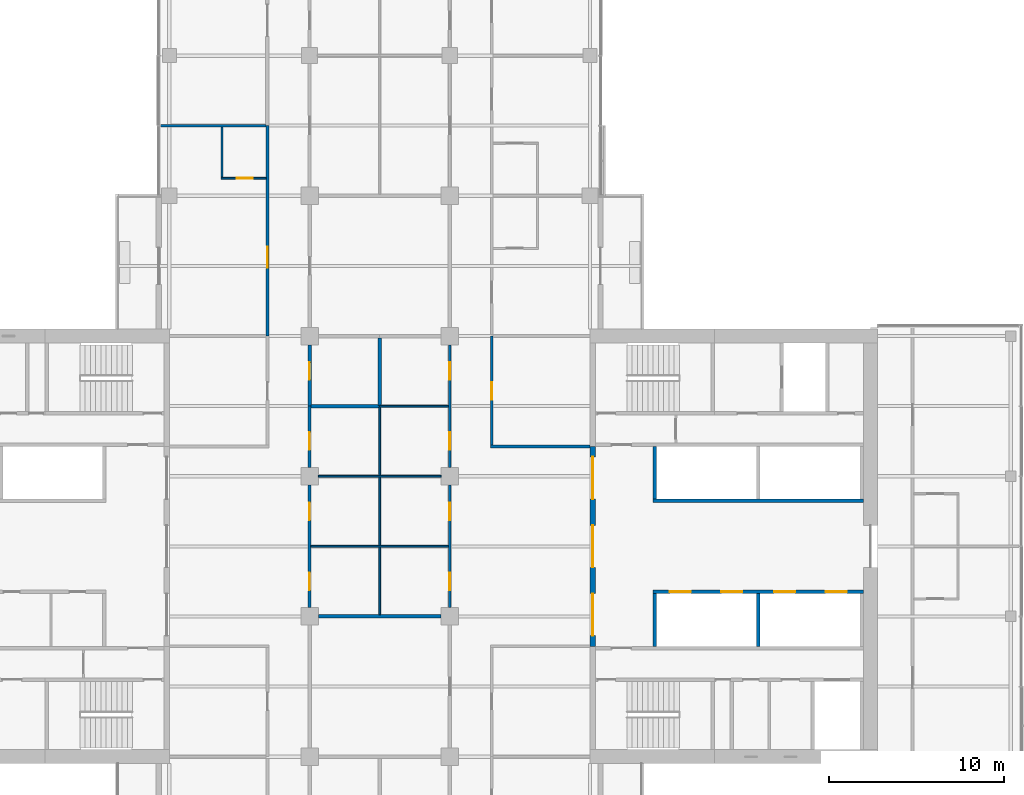
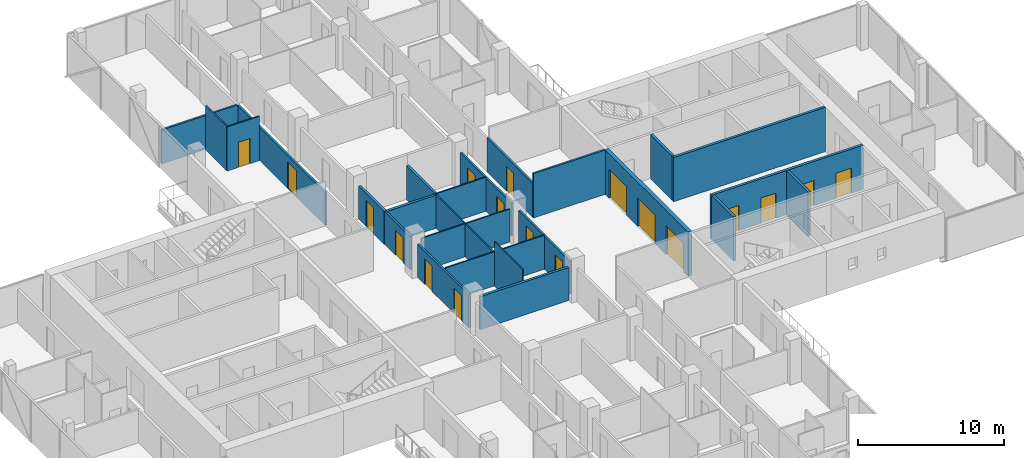
# One storey, part 19 of 27: 26 walls, 18 doors, 18 openings.
"""IFC4 building model written with IfcOpenShell, lengths in metres."""

from ifc_helpers import new_model, si_unit, direction, frame, frame_2d, origin, place, context, subcontext, project, spatial, rectangle, extrude, material, layer, layer_set, type_object, element, fill, save


model = new_model("IFC4")

# Units and contexts
model_context = context("Model", 3, precision=1e-05, world=origin(), true_north=direction((0.0, 1.0)))
body_context = subcontext(model_context, "Body", "Model", "MODEL_VIEW")
ifc_project = project(units=[si_unit("LENGTHUNIT", "METRE"), si_unit("AREAUNIT", "SQUARE_METRE"), si_unit("VOLUMEUNIT", "CUBIC_METRE"), si_unit("PLANEANGLEUNIT", "RADIAN"), si_unit("MASSUNIT", "GRAM", prefix="KILO")], contexts=[model_context])

# Site, building, storey
site_placement = place(None, origin())
site = spatial("IfcSite", under=ifc_project, at=site_placement, CompositionType="ELEMENT")
building_placement = place(site_placement, origin())
building = spatial("IfcBuilding", under=site, at=building_placement, Name="Crosswind Convention Tower", CompositionType="ELEMENT")
storey_placement = place(building_placement, frame((0.0, 0.0, 101.60009765625)))
storey = spatial("IfcBuildingStorey", under=building, at=storey_placement, Name="L20", CompositionType="ELEMENT", Elevation=101.60009765625)

# Wall
ifc_material_1 = material(Name="Concrete blockwork", Category="masonry")
ifc_layer_1 = layer(ifc_material_1, 0.199951171875)
ifc_layer_set_1 = layer_set([ifc_layer_1], Name="COMPARTMENT WALL 200")
wall_type_1 = type_object("IfcWallType", Name="COMPARTMENT WALL 200", PredefinedType="SOLIDWALL", material=ifc_layer_set_1)
wall_1_placement = place(storey_placement, frame((121.074951171875, 108.0, 0.0), z_axis=(0.0, 0.0, 1.0), x_axis=(1.0, 0.0, 0.0)))
element("IfcWall", 1, at=wall_1_placement, inside=storey, type_object=wall_type_1, Name="Compartment Wall 33", PredefinedType="SOLIDWALL", context=body_context, shape_type="SweptSolid", body=[
    extrude(rectangle(XDim=3.925048828125, YDim=0.199951171875, at=frame_2d((1.96240234375, 0.0))), origin(), (0.0, 0.0, 1.0), 2.760498046875),
])

# Wall, opening, door
wall_2_placement = place(storey_placement, frame((121.0, 108.0, 0.0), z_axis=(0.0, 0.0, 1.0), x_axis=(0.0, 1.0, 0.0)))
wall_2 = element("IfcWall", 2, at=wall_2_placement, inside=storey, type_object=wall_type_1, Name="Compartment Wall 69", PredefinedType="SOLIDWALL", context=body_context, shape_type="SweptSolid", body=[
    extrude(rectangle(XDim=3.5, YDim=0.199951171875, at=frame_2d((1.75, 0.0))), origin(), (0.0, 0.0, 1.0), 2.760498046875),
])
opening_1_placement = place(wall_2_placement, frame((1.5, 0.0, 0.0)))
opening_1 = element("IfcOpeningElement", 3, at=opening_1_placement, cuts=wall_2, Name="Opening 20.050", PredefinedType="OPENING", context=body_context, shape_type="SweptSolid", body=[
    extrude(rectangle(XDim=1.0, YDim=2.199951171875, at=frame_2d((0.5, 1.10009765625))), frame((0.0, 0.10986328125, 0.0), z_axis=(0.0, -1.0, 0.0), x_axis=(1.0, 0.0, 0.0)), (0.0, 0.0, 1.0), 0.219970703125),
])
ifc_material_2 = material(Name="Steel fire door", Category="steel")
door_type_1 = type_object("IfcDoorType", Name="PLANT ROOM DOOR 1000X2200", OperationType="NOTDEFINED", PredefinedType="DOOR", material=ifc_material_2)
door_1_placement = place(opening_1_placement, frame((1.0, 0.0, 0.0), z_axis=(0.0, 0.0, 1.0), x_axis=(-1.0, 0.0, 0.0)))
door_1 = element("IfcDoor", 4, at=door_1_placement, inside=storey, type_object=door_type_1, Name="Door 20.050", ObjectType="D6", OperationType="SINGLE_SWING_LEFT", OverallHeight=2.199951171875, OverallWidth=1.0, PredefinedType="DOOR", context=body_context, shape_type="SweptSolid", body=[
    extrude(rectangle(XDim=1.0, YDim=2.199951171875, at=frame_2d((0.5, 1.10009765625))), frame((0.0, 0.02490234375, 0.0), z_axis=(0.0, -1.0, 0.0), x_axis=(1.0, 0.0, 0.0)), (0.0, 0.0, 1.0), 0.050048828125),
])
fill(opening_1, door_1)

# Walls
wall_3_placement = place(storey_placement, frame((125.0, 108.050048828125, 0.0), z_axis=(0.0, 0.0, 1.0), x_axis=(0.0, 1.0, 0.0)))
element("IfcWall", 5, at=wall_3_placement, inside=storey, type_object=wall_type_1, Name="Compartment Wall 79", PredefinedType="SOLIDWALL", context=body_context, shape_type="SweptSolid", body=[
    extrude(rectangle(XDim=3.849853515625, YDim=0.199951171875, at=frame_2d((1.9248046875, 0.0))), origin(), (0.0, 0.0, 1.0), 2.8427734375),
])
ifc_material_3 = material(Name="Plasterboard partition", Category="gypsum")
ifc_layer_2 = layer(ifc_material_3, 0.14990234375)
ifc_layer_set_2 = layer_set([ifc_layer_2], Name="CORRIDOR WALL 150")
wall_type_2 = type_object("IfcWallType", Name="CORRIDOR WALL 150", PredefinedType="PARTITIONING", material=ifc_layer_set_2)
wall_4_placement = place(storey_placement, frame((131.324951171875, 105.699951171875, 0.0), z_axis=(0.0, 0.0, 1.0), x_axis=(1.0, 0.0, 0.0)))
element("IfcWall", 6, at=wall_4_placement, inside=storey, type_object=wall_type_2, Name="Corridor Wall 32", PredefinedType="PARTITIONING", context=body_context, shape_type="SweptSolid", body=[
    extrude(rectangle(XDim=5.675048828125, YDim=0.14990234375, at=frame_2d((2.83740234375, 0.0))), origin(), (0.0, 0.0, 1.0), 3.699951171875),
])

# Wall, openings, doors
wall_5_placement = place(storey_placement, frame((121.0, 96.5, 0.0), z_axis=(0.0, 0.0, 1.0), x_axis=(0.0, 1.0, 0.0)))
wall_5 = element("IfcWall", 7, at=wall_5_placement, inside=storey, type_object=wall_type_2, Name="Corridor Wall 67", PredefinedType="PARTITIONING", context=body_context, shape_type="SweptSolid", body=[
    extrude(rectangle(XDim=7.0, YDim=0.14990234375, at=frame_2d((3.5, 0.0))), origin(), (0.0, 0.0, 1.0), 2.760498046875),
])
opening_2_placement = place(wall_5_placement, frame((1.0, 0.0, 0.0)))
opening_2 = element("IfcOpeningElement", 8, at=opening_2_placement, cuts=wall_5, Name="Opening 20.045", PredefinedType="OPENING", context=body_context, shape_type="SweptSolid", body=[
    extrude(rectangle(XDim=1.0, YDim=2.10009765625, at=frame_2d((0.5, 1.050048828125))), frame((0.0, 0.0849609375, 0.0), z_axis=(0.0, -1.0, 0.0), x_axis=(1.0, 0.0, 0.0)), (0.0, 0.0, 1.0), 0.169921875),
])
opening_3_placement = place(wall_5_placement, frame((5.0, 0.0, 0.0)))
opening_3 = element("IfcOpeningElement", 9, at=opening_3_placement, cuts=wall_5, Name="Opening 20.046", PredefinedType="OPENING", context=body_context, shape_type="SweptSolid", body=[
    extrude(rectangle(XDim=1.0, YDim=2.10009765625, at=frame_2d((0.5, 1.050048828125))), frame((0.0, 0.0849609375, 0.0), z_axis=(0.0, -1.0, 0.0), x_axis=(1.0, 0.0, 0.0)), (0.0, 0.0, 1.0), 0.169921875),
])
ifc_material_4 = material(Name="Timber fire door", Category="wood")
door_type_2 = type_object("IfcDoorType", Name="SERVICE ROOM DOOR 1000X2100", OperationType="NOTDEFINED", PredefinedType="DOOR", material=ifc_material_4)
door_2_placement = place(opening_2_placement, frame((1.0, 0.0, 0.0), z_axis=(0.0, 0.0, 1.0), x_axis=(-1.0, 0.0, 0.0)))
door_2 = element("IfcDoor", 10, at=door_2_placement, inside=storey, type_object=door_type_2, Name="Door 20.045", ObjectType="D3", OperationType="SINGLE_SWING_RIGHT", OverallHeight=2.10009765625, OverallWidth=1.0, PredefinedType="DOOR", context=body_context, shape_type="SweptSolid", body=[
    extrude(rectangle(XDim=1.0, YDim=2.10009765625, at=frame_2d((0.5, 1.050048828125))), frame((0.0, 0.02490234375, 0.0), z_axis=(0.0, -1.0, 0.0), x_axis=(1.0, 0.0, 0.0)), (0.0, 0.0, 1.0), 0.050048828125),
])
fill(opening_2, door_2)
door_3_placement = place(opening_3_placement, frame((1.0, 0.0, 0.0), z_axis=(0.0, 0.0, 1.0), x_axis=(-1.0, 0.0, 0.0)))
door_3 = element("IfcDoor", 11, at=door_3_placement, inside=storey, type_object=door_type_2, Name="Door 20.046", ObjectType="D3", OperationType="SINGLE_SWING_LEFT", OverallHeight=2.10009765625, OverallWidth=1.0, PredefinedType="DOOR", context=body_context, shape_type="SweptSolid", body=[
    extrude(rectangle(XDim=1.0, YDim=2.10009765625, at=frame_2d((0.5, 1.050048828125))), frame((0.0, 0.02490234375, 0.0), z_axis=(0.0, -1.0, 0.0), x_axis=(1.0, 0.0, 0.0)), (0.0, 0.0, 1.0), 0.050048828125),
])
fill(opening_3, door_3)

# Wall, opening, door
wall_6_placement = place(storey_placement, frame((121.0, 104.5, 0.0), z_axis=(0.0, 0.0, 1.0), x_axis=(0.0, 1.0, 0.0)))
wall_6 = element("IfcWall", 12, at=wall_6_placement, inside=storey, type_object=wall_type_2, Name="Corridor Wall 68", PredefinedType="PARTITIONING", context=body_context, shape_type="SweptSolid", body=[
    extrude(rectangle(XDim=3.5, YDim=0.14990234375, at=frame_2d((1.75, 0.0))), origin(), (0.0, 0.0, 1.0), 2.760498046875),
])
opening_4_placement = place(wall_6_placement, frame((1.0, 0.0, 0.0)))
opening_4 = element("IfcOpeningElement", 13, at=opening_4_placement, cuts=wall_6, Name="Opening 20.049", PredefinedType="OPENING", context=body_context, shape_type="SweptSolid", body=[
    extrude(rectangle(XDim=1.0, YDim=2.10009765625, at=frame_2d((0.5, 1.050048828125))), frame((0.0, 0.0849609375, 0.0), z_axis=(0.0, -1.0, 0.0), x_axis=(1.0, 0.0, 0.0)), (0.0, 0.0, 1.0), 0.169921875),
])
door_4_placement = place(opening_4_placement, frame((1.0, 0.0, 0.0), z_axis=(0.0, 0.0, 1.0), x_axis=(-1.0, 0.0, 0.0)))
door_4 = element("IfcDoor", 14, at=door_4_placement, inside=storey, type_object=door_type_2, Name="Door 20.049", ObjectType="D3", OperationType="SINGLE_SWING_RIGHT", OverallHeight=2.10009765625, OverallWidth=1.0, PredefinedType="DOOR", context=body_context, shape_type="SweptSolid", body=[
    extrude(rectangle(XDim=1.0, YDim=2.10009765625, at=frame_2d((0.5, 1.050048828125))), frame((0.0, 0.02490234375, 0.0), z_axis=(0.0, -1.0, 0.0), x_axis=(1.0, 0.0, 0.0)), (0.0, 0.0, 1.0), 0.050048828125),
])
fill(opening_4, door_4)

# Wall, openings, doors
wall_7_placement = place(storey_placement, frame((129.0, 96.5, 0.0), z_axis=(0.0, 0.0, 1.0), x_axis=(0.0, 1.0, 0.0)))
wall_7 = element("IfcWall", 15, at=wall_7_placement, inside=storey, type_object=wall_type_2, Name="Corridor Wall 87", PredefinedType="PARTITIONING", context=body_context, shape_type="SweptSolid", body=[
    extrude(rectangle(XDim=7.0, YDim=0.14990234375, at=frame_2d((3.5, 0.0))), origin(), (0.0, 0.0, 1.0), 2.760498046875),
])
opening_5_placement = place(wall_7_placement, frame((1.0, 0.0, 0.0)))
opening_5 = element("IfcOpeningElement", 16, at=opening_5_placement, cuts=wall_7, Name="Opening 20.047", PredefinedType="OPENING", context=body_context, shape_type="SweptSolid", body=[
    extrude(rectangle(XDim=1.0, YDim=2.10009765625, at=frame_2d((0.5, 1.050048828125))), frame((0.0, 0.0849609375, 0.0), z_axis=(0.0, -1.0, 0.0), x_axis=(1.0, 0.0, 0.0)), (0.0, 0.0, 1.0), 0.169921875),
])
opening_6_placement = place(wall_7_placement, frame((5.0, 0.0, 0.0)))
opening_6 = element("IfcOpeningElement", 17, at=opening_6_placement, cuts=wall_7, Name="Opening 20.048", PredefinedType="OPENING", context=body_context, shape_type="SweptSolid", body=[
    extrude(rectangle(XDim=1.0, YDim=2.10009765625, at=frame_2d((0.5, 1.050048828125))), frame((0.0, 0.0849609375, 0.0), z_axis=(0.0, -1.0, 0.0), x_axis=(1.0, 0.0, 0.0)), (0.0, 0.0, 1.0), 0.169921875),
])
door_5_placement = place(opening_5_placement, origin())
door_5 = element("IfcDoor", 18, at=door_5_placement, inside=storey, type_object=door_type_2, Name="Door 20.047", ObjectType="D3", OperationType="SINGLE_SWING_LEFT", OverallHeight=2.10009765625, OverallWidth=1.0, PredefinedType="DOOR", context=body_context, shape_type="SweptSolid", body=[
    extrude(rectangle(XDim=1.0, YDim=2.10009765625, at=frame_2d((0.5, 1.050048828125))), frame((0.0, 0.02490234375, 0.0), z_axis=(0.0, -1.0, 0.0), x_axis=(1.0, 0.0, 0.0)), (0.0, 0.0, 1.0), 0.050048828125),
])
fill(opening_5, door_5)
door_6_placement = place(opening_6_placement, origin())
door_6 = element("IfcDoor", 19, at=door_6_placement, inside=storey, type_object=door_type_2, Name="Door 20.048", ObjectType="D3", OperationType="SINGLE_SWING_RIGHT", OverallHeight=2.10009765625, OverallWidth=1.0, PredefinedType="DOOR", context=body_context, shape_type="SweptSolid", body=[
    extrude(rectangle(XDim=1.0, YDim=2.10009765625, at=frame_2d((0.5, 1.050048828125))), frame((0.0, 0.02490234375, 0.0), z_axis=(0.0, -1.0, 0.0), x_axis=(1.0, 0.0, 0.0)), (0.0, 0.0, 1.0), 0.050048828125),
])
fill(opening_6, door_6)

wall_8_placement = place(storey_placement, frame((129.0, 104.5, 0.0), z_axis=(0.0, 0.0, 1.0), x_axis=(0.0, 1.0, 0.0)))
wall_8 = element("IfcWall", 20, at=wall_8_placement, inside=storey, type_object=wall_type_2, Name="Corridor Wall 88", PredefinedType="PARTITIONING", context=body_context, shape_type="SweptSolid", body=[
    extrude(rectangle(XDim=7.0, YDim=0.14990234375, at=frame_2d((3.5, 0.0))), origin(), (0.0, 0.0, 1.0), 2.760498046875),
])
opening_7_placement = place(wall_8_placement, frame((1.0, 0.0, 0.0)))
opening_7 = element("IfcOpeningElement", 21, at=opening_7_placement, cuts=wall_8, Name="Opening 20.051", PredefinedType="OPENING", context=body_context, shape_type="SweptSolid", body=[
    extrude(rectangle(XDim=1.0, YDim=2.10009765625, at=frame_2d((0.5, 1.050048828125))), frame((0.0, 0.0849609375, 0.0), z_axis=(0.0, -1.0, 0.0), x_axis=(1.0, 0.0, 0.0)), (0.0, 0.0, 1.0), 0.169921875),
])
opening_8_placement = place(wall_8_placement, frame((5.0, 0.0, 0.0)))
opening_8 = element("IfcOpeningElement", 22, at=opening_8_placement, cuts=wall_8, Name="Opening 20.052", PredefinedType="OPENING", context=body_context, shape_type="SweptSolid", body=[
    extrude(rectangle(XDim=1.0, YDim=2.10009765625, at=frame_2d((0.5, 1.050048828125))), frame((0.0, 0.0849609375, 0.0), z_axis=(0.0, -1.0, 0.0), x_axis=(1.0, 0.0, 0.0)), (0.0, 0.0, 1.0), 0.169921875),
])
door_7_placement = place(opening_7_placement, origin())
door_7 = element("IfcDoor", 23, at=door_7_placement, inside=storey, type_object=door_type_2, Name="Door 20.051", ObjectType="D3", OperationType="SINGLE_SWING_LEFT", OverallHeight=2.10009765625, OverallWidth=1.0, PredefinedType="DOOR", context=body_context, shape_type="SweptSolid", body=[
    extrude(rectangle(XDim=1.0, YDim=2.10009765625, at=frame_2d((0.5, 1.050048828125))), frame((0.0, 0.02490234375, 0.0), z_axis=(0.0, -1.0, 0.0), x_axis=(1.0, 0.0, 0.0)), (0.0, 0.0, 1.0), 0.050048828125),
])
fill(opening_7, door_7)
door_8_placement = place(opening_8_placement, origin())
door_8 = element("IfcDoor", 24, at=door_8_placement, inside=storey, type_object=door_type_2, Name="Door 20.052", ObjectType="D3", OperationType="SINGLE_SWING_RIGHT", OverallHeight=2.10009765625, OverallWidth=1.0, PredefinedType="DOOR", context=body_context, shape_type="SweptSolid", body=[
    extrude(rectangle(XDim=1.0, YDim=2.10009765625, at=frame_2d((0.5, 1.050048828125))), frame((0.0, 0.02490234375, 0.0), z_axis=(0.0, -1.0, 0.0), x_axis=(1.0, 0.0, 0.0)), (0.0, 0.0, 1.0), 0.050048828125),
])
fill(opening_8, door_8)

# Wall, opening, door
wall_9_placement = place(storey_placement, frame((131.39990234375, 105.77490234375, 0.0), z_axis=(0.0, 0.0, 1.0), x_axis=(0.0, 1.0, 0.0)))
wall_9 = element("IfcWall", 25, at=wall_9_placement, inside=storey, type_object=wall_type_2, Name="Corridor Wall 96", PredefinedType="PARTITIONING", context=body_context, shape_type="SweptSolid", body=[
    extrude(rectangle(XDim=6.22509765625, YDim=0.14990234375, at=frame_2d((3.112548828125, 0.0))), origin(), (0.0, 0.0, 1.0), 2.8427734375),
])
opening_9_placement = place(wall_9_placement, frame((2.574951171875, 0.0, 0.0)))
opening_9 = element("IfcOpeningElement", 26, at=opening_9_placement, cuts=wall_9, Name="Opening 20.001", PredefinedType="OPENING", context=body_context, shape_type="SweptSolid", body=[
    extrude(rectangle(XDim=1.0, YDim=2.10009765625, at=frame_2d((0.5, 1.050048828125))), frame((0.0, 0.0849609375, 0.0), z_axis=(0.0, -1.0, 0.0), x_axis=(1.0, 0.0, 0.0)), (0.0, 0.0, 1.0), 0.169921875),
])
door_9_placement = place(opening_9_placement, frame((1.0, 0.0, 0.0), z_axis=(0.0, 0.0, 1.0), x_axis=(-1.0, 0.0, 0.0)))
door_9 = element("IfcDoor", 27, at=door_9_placement, inside=storey, type_object=door_type_2, Name="Door 20.001", ObjectType="D3", OperationType="SINGLE_SWING_LEFT", OverallHeight=2.10009765625, OverallWidth=1.0, PredefinedType="DOOR", context=body_context, shape_type="SweptSolid", body=[
    extrude(rectangle(XDim=1.0, YDim=2.10009765625, at=frame_2d((0.5, 1.050048828125))), frame((0.0, 0.02490234375, 0.0), z_axis=(0.0, -1.0, 0.0), x_axis=(1.0, 0.0, 0.0)), (0.0, 0.0, 1.0), 0.050048828125),
])
fill(opening_9, door_9)

# Wall, openings, doors
ifc_material_5 = material(Name="Concrete C50/60", Category="concrete")
ifc_layer_3 = layer(ifc_material_5, 0.300048828125)
ifc_layer_set_3 = layer_set([ifc_layer_3], Name="Concrete C50/60")
wall_type_3 = type_object("IfcWallType", Name="Concrete inner core wall 300", PredefinedType="SHEAR", material=ifc_layer_set_3)
wall_10_placement = place(storey_placement, frame((137.14990234375, 94.300048828125, 0.0), z_axis=(0.0, 0.0, 1.0), x_axis=(0.0, 1.0, 0.0)))
wall_10 = element("IfcWall", 28, at=wall_10_placement, inside=storey, type_object=wall_type_3, Name="Wall SCR E L20", PredefinedType="SHEAR", context=body_context, shape_type="SweptSolid", body=[
    extrude(rectangle(XDim=11.39990234375, YDim=0.300048828125, at=frame_2d((5.699951171875, 0.0))), origin(), (0.0, 0.0, 1.0), 3.699951171875),
])
opening_10_placement = place(wall_10_placement, frame((0.60009765625, 0.0, 0.0)))
opening_10 = element("IfcOpeningElement", 29, at=opening_10_placement, cuts=wall_10, Name="Opening D100", PredefinedType="OPENING", context=body_context, shape_type="SweptSolid", body=[
    extrude(rectangle(XDim=2.39990234375, YDim=2.39990234375, at=frame_2d((1.199951171875, 1.199951171875))), frame((0.0, 0.159912109375, 0.0), z_axis=(0.0, -1.0, 0.0), x_axis=(1.0, 0.0, 0.0)), (0.0, 0.0, 1.0), 0.320068359375),
])
opening_11_placement = place(wall_10_placement, frame((4.5, 0.0, 0.0)))
opening_11 = element("IfcOpeningElement", 30, at=opening_11_placement, cuts=wall_10, Name="Opening D100", PredefinedType="OPENING", context=body_context, shape_type="SweptSolid", body=[
    extrude(rectangle(XDim=2.39990234375, YDim=2.39990234375, at=frame_2d((1.199951171875, 1.199951171875))), frame((0.0, 0.159912109375, 0.0), z_axis=(0.0, -1.0, 0.0), x_axis=(1.0, 0.0, 0.0)), (0.0, 0.0, 1.0), 0.320068359375),
])
opening_12_placement = place(wall_10_placement, frame((8.39990234375, 0.0, 0.0)))
opening_12 = element("IfcOpeningElement", 31, at=opening_12_placement, cuts=wall_10, Name="Opening D100", PredefinedType="OPENING", context=body_context, shape_type="SweptSolid", body=[
    extrude(rectangle(XDim=2.39990234375, YDim=2.39990234375, at=frame_2d((1.199951171875, 1.199951171875))), frame((0.0, 0.159912109375, 0.0), z_axis=(0.0, -1.0, 0.0), x_axis=(1.0, 0.0, 0.0)), (0.0, 0.0, 1.0), 0.320068359375),
])
ifc_material_6 = material(Name="Steel fire door with glazed vision panels", Category="steel")
door_type_3 = type_object("IfcDoorType", Name="Fire-rated double door 2400x2400", OperationType="DOUBLE_DOOR_SINGLE_SWING", PredefinedType="DOOR", material=ifc_material_6)
door_10_placement = place(opening_10_placement, origin())
door_10 = element("IfcDoor", 32, at=door_10_placement, inside=storey, type_object=door_type_3, Name="Lobby door 1 L20", ObjectType="D100", OperationType="DOUBLE_DOOR_SINGLE_SWING", OverallHeight=2.39990234375, OverallWidth=2.39990234375, PredefinedType="DOOR", context=body_context, shape_type="SweptSolid", body=[
    extrude(rectangle(XDim=2.39990234375, YDim=2.39990234375, at=frame_2d((1.199951171875, 1.199951171875))), frame((0.0, 0.02490234375, 0.0), z_axis=(0.0, -1.0, 0.0), x_axis=(1.0, 0.0, 0.0)), (0.0, 0.0, 1.0), 0.050048828125),
])
fill(opening_10, door_10)
door_11_placement = place(opening_11_placement, origin())
door_11 = element("IfcDoor", 33, at=door_11_placement, inside=storey, type_object=door_type_3, Name="Lobby door 2 L20", ObjectType="D100", OperationType="DOUBLE_DOOR_SINGLE_SWING", OverallHeight=2.39990234375, OverallWidth=2.39990234375, PredefinedType="DOOR", context=body_context, shape_type="SweptSolid", body=[
    extrude(rectangle(XDim=2.39990234375, YDim=2.39990234375, at=frame_2d((1.199951171875, 1.199951171875))), frame((0.0, 0.02490234375, 0.0), z_axis=(0.0, -1.0, 0.0), x_axis=(1.0, 0.0, 0.0)), (0.0, 0.0, 1.0), 0.050048828125),
])
fill(opening_11, door_11)
door_12_placement = place(opening_12_placement, origin())
door_12 = element("IfcDoor", 34, at=door_12_placement, inside=storey, type_object=door_type_3, Name="Lobby door 3 L20", ObjectType="D100", OperationType="DOUBLE_DOOR_SINGLE_SWING", OverallHeight=2.39990234375, OverallWidth=2.39990234375, PredefinedType="DOOR", context=body_context, shape_type="SweptSolid", body=[
    extrude(rectangle(XDim=2.39990234375, YDim=2.39990234375, at=frame_2d((1.199951171875, 1.199951171875))), frame((0.0, 0.02490234375, 0.0), z_axis=(0.0, -1.0, 0.0), x_axis=(1.0, 0.0, 0.0)), (0.0, 0.0, 1.0), 0.050048828125),
])
fill(opening_12, door_12)

# Walls
ifc_layer_4 = layer(ifc_material_5, 0.199951171875)
ifc_layer_set_4 = layer_set([ifc_layer_4], Name="Concrete C50/60")
wall_type_4 = type_object("IfcWallType", Name="Concrete shaft and stair wall 200", PredefinedType="SHEAR", material=ifc_layer_set_4)
wall_11_placement = place(storey_placement, frame((140.699951171875, 102.699951171875, 0.0), z_axis=(0.0, 0.0, 1.0), x_axis=(0.0, 1.0, 0.0)))
element("IfcWall", 35, at=wall_11_placement, inside=storey, type_object=wall_type_4, Name="Wall RPEND E L20", PredefinedType="SHEAR", context=body_context, shape_type="SweptSolid", body=[
    extrude(rectangle(XDim=3.0, YDim=0.199951171875, at=frame_2d((1.5, 0.0))), origin(), (0.0, 0.0, 1.0), 3.699951171875),
])
wall_12_placement = place(storey_placement, frame((140.60009765625, 102.60009765625, 0.0), z_axis=(0.0, 0.0, 1.0), x_axis=(1.0, 0.0, 0.0)))
element("IfcWall", 36, at=wall_12_placement, inside=storey, type_object=wall_type_4, Name="Wall RPFRONT E L20", PredefinedType="SHEAR", context=body_context, shape_type="SweptSolid", body=[
    extrude(rectangle(XDim=12.0, YDim=0.199951171875, at=frame_2d((6.0, 0.0))), origin(), (0.0, 0.0, 1.0), 3.699951171875),
])
for number, where, z_axis, x_axis, name in (
    (37, (140.699951171875, 94.300048828125, 0.0), (0.0, 0.0, 1.0), (0.0, 1.0, 0.0), "Wall RMEND E L20"),
    (38, (146.60009765625, 94.300048828125, 0.0), (0.0, 0.0, 1.0), (0.0, 1.0, 0.0), "Wall RMSEP E L20"),
):
    element("IfcWall", number, at=place(storey_placement, frame(where, z_axis=z_axis, x_axis=x_axis)), inside=storey, type_object=wall_type_4, Name=name, PredefinedType="SHEAR", context=body_context, shape_type="SweptSolid", body=[
        extrude(rectangle(XDim=3.0, YDim=0.199951171875, at=frame_2d((1.5, 0.0))), origin(), (0.0, 0.0, 1.0), 3.699951171875),
    ])

# Wall, openings, doors
wall_13_placement = place(storey_placement, frame((140.60009765625, 97.39990234375, 0.0), z_axis=(0.0, 0.0, 1.0), x_axis=(1.0, 0.0, 0.0)))
wall_13 = element("IfcWall", 39, at=wall_13_placement, inside=storey, type_object=wall_type_4, Name="Wall RMFRONT E L20", PredefinedType="SHEAR", context=body_context, shape_type="SweptSolid", body=[
    extrude(rectangle(XDim=12.0, YDim=0.199951171875, at=frame_2d((6.0, 0.0))), origin(), (0.0, 0.0, 1.0), 3.699951171875),
])
opening_13_placement = place(wall_13_placement, frame((0.949951171875, 0.0, 0.0)))
opening_13 = element("IfcOpeningElement", 40, at=opening_13_placement, cuts=wall_13, Name="Opening LD1", PredefinedType="OPENING", context=body_context, shape_type="SweptSolid", body=[
    extrude(rectangle(XDim=1.199951171875, YDim=2.10009765625, at=frame_2d((0.60009765625, 1.050048828125))), frame((0.0, 0.10986328125, 0.0), z_axis=(0.0, -1.0, 0.0), x_axis=(1.0, 0.0, 0.0)), (0.0, 0.0, 1.0), 0.219970703125),
])
opening_14_placement = place(wall_13_placement, frame((3.89990234375, 0.0, 0.0)))
opening_14 = element("IfcOpeningElement", 41, at=opening_14_placement, cuts=wall_13, Name="Opening LD1", PredefinedType="OPENING", context=body_context, shape_type="SweptSolid", body=[
    extrude(rectangle(XDim=1.199951171875, YDim=2.10009765625, at=frame_2d((0.60009765625, 1.050048828125))), frame((0.0, 0.10986328125, 0.0), z_axis=(0.0, -1.0, 0.0), x_axis=(1.0, 0.0, 0.0)), (0.0, 0.0, 1.0), 0.219970703125),
])
opening_15_placement = place(wall_13_placement, frame((6.89990234375, 0.0, 0.0)))
opening_15 = element("IfcOpeningElement", 42, at=opening_15_placement, cuts=wall_13, Name="Opening LD1", PredefinedType="OPENING", context=body_context, shape_type="SweptSolid", body=[
    extrude(rectangle(XDim=1.199951171875, YDim=2.10009765625, at=frame_2d((0.60009765625, 1.050048828125))), frame((0.0, 0.10986328125, 0.0), z_axis=(0.0, -1.0, 0.0), x_axis=(1.0, 0.0, 0.0)), (0.0, 0.0, 1.0), 0.219970703125),
])
opening_16_placement = place(wall_13_placement, frame((9.85009765625, 0.0, 0.0)))
opening_16 = element("IfcOpeningElement", 43, at=opening_16_placement, cuts=wall_13, Name="Opening LD1", PredefinedType="OPENING", context=body_context, shape_type="SweptSolid", body=[
    extrude(rectangle(XDim=1.199951171875, YDim=2.10009765625, at=frame_2d((0.60009765625, 1.050048828125))), frame((0.0, 0.10986328125, 0.0), z_axis=(0.0, -1.0, 0.0), x_axis=(1.0, 0.0, 0.0)), (0.0, 0.0, 1.0), 0.219970703125),
])
ifc_material_7 = material(Name="Stainless steel", Category="steel")
door_type_4 = type_object("IfcDoorType", Name="Lift landing door 1200x2100", OperationType="DOUBLE_DOOR_SLIDING", PredefinedType="DOOR", material=ifc_material_7)
door_13_placement = place(opening_13_placement, origin())
door_13 = element("IfcDoor", 44, at=door_13_placement, inside=storey, type_object=door_type_4, Name="Landing door H1 L20", ObjectType="LD1", OperationType="DOUBLE_DOOR_SLIDING", OverallHeight=2.10009765625, OverallWidth=1.199951171875, PredefinedType="DOOR", context=body_context, shape_type="SweptSolid", body=[
    extrude(rectangle(XDim=1.199951171875, YDim=2.10009765625, at=frame_2d((0.60009765625, 1.050048828125))), frame((0.0, 0.02490234375, 0.0), z_axis=(0.0, -1.0, 0.0), x_axis=(1.0, 0.0, 0.0)), (0.0, 0.0, 1.0), 0.050048828125),
])
fill(opening_13, door_13)
door_14_placement = place(opening_14_placement, origin())
door_14 = element("IfcDoor", 45, at=door_14_placement, inside=storey, type_object=door_type_4, Name="Landing door H2 L20", ObjectType="LD1", OperationType="DOUBLE_DOOR_SLIDING", OverallHeight=2.10009765625, OverallWidth=1.199951171875, PredefinedType="DOOR", context=body_context, shape_type="SweptSolid", body=[
    extrude(rectangle(XDim=1.199951171875, YDim=2.10009765625, at=frame_2d((0.60009765625, 1.050048828125))), frame((0.0, 0.02490234375, 0.0), z_axis=(0.0, -1.0, 0.0), x_axis=(1.0, 0.0, 0.0)), (0.0, 0.0, 1.0), 0.050048828125),
])
fill(opening_14, door_14)
door_15_placement = place(opening_15_placement, origin())
door_15 = element("IfcDoor", 46, at=door_15_placement, inside=storey, type_object=door_type_4, Name="Landing door H3 L20", ObjectType="LD1", OperationType="DOUBLE_DOOR_SLIDING", OverallHeight=2.10009765625, OverallWidth=1.199951171875, PredefinedType="DOOR", context=body_context, shape_type="SweptSolid", body=[
    extrude(rectangle(XDim=1.199951171875, YDim=2.10009765625, at=frame_2d((0.60009765625, 1.050048828125))), frame((0.0, 0.02490234375, 0.0), z_axis=(0.0, -1.0, 0.0), x_axis=(1.0, 0.0, 0.0)), (0.0, 0.0, 1.0), 0.050048828125),
])
fill(opening_15, door_15)
door_16_placement = place(opening_16_placement, origin())
door_16 = element("IfcDoor", 47, at=door_16_placement, inside=storey, type_object=door_type_4, Name="Landing door H4 L20", ObjectType="LD1", OperationType="DOUBLE_DOOR_SLIDING", OverallHeight=2.10009765625, OverallWidth=1.199951171875, PredefinedType="DOOR", context=body_context, shape_type="SweptSolid", body=[
    extrude(rectangle(XDim=1.199951171875, YDim=2.10009765625, at=frame_2d((0.60009765625, 1.050048828125))), frame((0.0, 0.02490234375, 0.0), z_axis=(0.0, -1.0, 0.0), x_axis=(1.0, 0.0, 0.0)), (0.0, 0.0, 1.0), 0.050048828125),
])
fill(opening_16, door_16)

# Wall
ifc_material_8 = material(Name="Acoustic plasterboard partition", Category="gypsum")
ifc_layer_5 = layer(ifc_material_8, 0.14990234375)
ifc_layer_set_5 = layer_set([ifc_layer_5], Name="GUEST ROOM WALL 150")
wall_type_5 = type_object("IfcWallType", Name="GUEST ROOM WALL 150", PredefinedType="PARTITIONING", material=ifc_layer_set_5)
wall_14_placement = place(storey_placement, frame((112.5, 124.0, 0.0), z_axis=(0.0, 0.0, 1.0), x_axis=(1.0, 0.0, 0.0)))
element("IfcWall", 48, at=wall_14_placement, inside=storey, type_object=wall_type_5, Name="Guest Room Wall 44", PredefinedType="PARTITIONING", context=body_context, shape_type="SweptSolid", body=[
    extrude(rectangle(XDim=6.02490234375, YDim=0.14990234375, at=frame_2d((3.012451171875, 0.0))), origin(), (0.0, 0.0, 1.0), 2.8427734375),
])

# Wall, opening, door
wall_15_placement = place(storey_placement, frame((118.60009765625, 112.0, 0.0), z_axis=(0.0, 0.0, 1.0), x_axis=(0.0, 1.0, 0.0)))
wall_15 = element("IfcWall", 49, at=wall_15_placement, inside=storey, type_object=wall_type_5, Name="Guest Room Wall 61", PredefinedType="PARTITIONING", context=body_context, shape_type="SweptSolid", body=[
    extrude(rectangle(XDim=12.0, YDim=0.14990234375, at=frame_2d((6.0, 0.0))), origin(), (0.0, 0.0, 1.0), 2.760498046875),
])
opening_17_placement = place(wall_15_placement, frame((3.89990234375, 0.0, 0.0)))
opening_17 = element("IfcOpeningElement", 50, at=opening_17_placement, cuts=wall_15, Name="Opening 20.011", PredefinedType="OPENING", context=body_context, shape_type="SweptSolid", body=[
    extrude(rectangle(XDim=1.199951171875, YDim=2.199951171875, at=frame_2d((0.60009765625, 1.10009765625))), frame((0.0, 0.0849609375, 0.0), z_axis=(0.0, -1.0, 0.0), x_axis=(1.0, 0.0, 0.0)), (0.0, 0.0, 1.0), 0.169921875),
])
door_type_5 = type_object("IfcDoorType", Name="SUITE DOOR 1200X2200", OperationType="DOUBLE_DOOR_SINGLE_SWING", PredefinedType="DOOR", material=ifc_material_4)
door_17_placement = place(opening_17_placement, origin())
door_17 = element("IfcDoor", 51, at=door_17_placement, inside=storey, type_object=door_type_5, Name="Door 20.011", ObjectType="D14", OperationType="DOUBLE_DOOR_SINGLE_SWING", OverallHeight=2.199951171875, OverallWidth=1.199951171875, PredefinedType="DOOR", context=body_context, shape_type="SweptSolid", body=[
    extrude(rectangle(XDim=1.199951171875, YDim=2.199951171875, at=frame_2d((0.60009765625, 1.10009765625))), frame((0.0, 0.02490234375, 0.0), z_axis=(0.0, -1.0, 0.0), x_axis=(1.0, 0.0, 0.0)), (0.0, 0.0, 1.0), 0.050048828125),
])
fill(opening_17, door_17)

# Walls
ifc_material_9 = material(Name="Double plasterboard partition", Category="gypsum")
ifc_layer_6 = layer(ifc_material_9, 0.199951171875)
ifc_layer_set_6 = layer_set([ifc_layer_6], Name="HALL WALL 200")
wall_type_6 = type_object("IfcWallType", Name="HALL WALL 200", PredefinedType="PARTITIONING", material=ifc_layer_set_6)
wall_16_placement = place(storey_placement, frame((121.5, 96.0, 0.0), z_axis=(0.0, 0.0, 1.0), x_axis=(1.0, 0.0, 0.0)))
element("IfcWall", 52, at=wall_16_placement, inside=storey, type_object=wall_type_6, Name="Hall Wall 21", PredefinedType="PARTITIONING", context=body_context, shape_type="SweptSolid", body=[
    extrude(rectangle(XDim=7.0, YDim=0.199951171875, at=frame_2d((3.5, 0.0))), origin(), (0.0, 0.0, 1.0), 2.760498046875),
])
ifc_layer_7 = layer(ifc_material_3, 0.10009765625)
ifc_layer_set_7 = layer_set([ifc_layer_7], Name="PARTITION 100")
wall_type_7 = type_object("IfcWallType", Name="PARTITION 100", PredefinedType="PARTITIONING", material=ifc_layer_set_7)
wall_17_placement = place(storey_placement, frame((121.074951171875, 100.0, 0.0), z_axis=(0.0, 0.0, 1.0), x_axis=(1.0, 0.0, 0.0)))
element("IfcWall", 53, at=wall_17_placement, inside=storey, type_object=wall_type_7, Name="Partition 25", PredefinedType="PARTITIONING", context=body_context, shape_type="SweptSolid", body=[
    extrude(rectangle(XDim=7.85009765625, YDim=0.10009765625, at=frame_2d((3.925048828125, 0.0))), origin(), (0.0, 0.0, 1.0), 2.8427734375),
])
wall_18_placement = place(storey_placement, frame((121.5, 104.0, 0.0), z_axis=(0.0, 0.0, 1.0), x_axis=(1.0, 0.0, 0.0)))
element("IfcWall", 54, at=wall_18_placement, inside=storey, type_object=wall_type_7, Name="Partition 30", PredefinedType="PARTITIONING", context=body_context, shape_type="SweptSolid", body=[
    extrude(rectangle(XDim=7.0, YDim=0.10009765625, at=frame_2d((3.5, 0.0))), origin(), (0.0, 0.0, 1.0), 2.760498046875),
])
wall_19_placement = place(storey_placement, frame((125.0, 108.0, 0.0), z_axis=(0.0, 0.0, 1.0), x_axis=(1.0, 0.0, 0.0)))
element("IfcWall", 55, at=wall_19_placement, inside=storey, type_object=wall_type_7, Name="Partition 34", PredefinedType="PARTITIONING", context=body_context, shape_type="SweptSolid", body=[
    extrude(rectangle(XDim=3.925048828125, YDim=0.10009765625, at=frame_2d((1.96240234375, 0.0))), origin(), (0.0, 0.0, 1.0), 2.8427734375),
])
wall_20_placement = place(storey_placement, frame((125.0, 96.10009765625, 0.0), z_axis=(0.0, 0.0, 1.0), x_axis=(0.0, 1.0, 0.0)))
element("IfcWall", 56, at=wall_20_placement, inside=storey, type_object=wall_type_7, Name="Partition 76", PredefinedType="PARTITIONING", context=body_context, shape_type="SweptSolid", body=[
    extrude(rectangle(XDim=3.849853515625, YDim=0.10009765625, at=frame_2d((1.9248046875, 0.0))), origin(), (0.0, 0.0, 1.0), 3.699951171875),
])
for number, where, z_axis, x_axis, name in (
    (57, (125.0, 100.050048828125, 0.0), (0.0, 0.0, 1.0), (0.0, 1.0, 0.0), "Partition 77"),
    (58, (125.0, 104.050048828125, 0.0), (0.0, 0.0, 1.0), (0.0, 1.0, 0.0), "Partition 78"),
):
    element("IfcWall", number, at=place(storey_placement, frame(where, z_axis=z_axis, x_axis=x_axis)), inside=storey, type_object=wall_type_7, Name=name, PredefinedType="PARTITIONING", context=body_context, shape_type="SweptSolid", body=[
        extrude(rectangle(XDim=3.89990234375, YDim=0.10009765625, at=frame_2d((1.949951171875, 0.0))), origin(), (0.0, 0.0, 1.0), 2.760498046875),
    ])

# Wall, opening, door
ifc_material_10 = material(Name="Water-resistant plasterboard partition", Category="gypsum")
ifc_layer_8 = layer(ifc_material_10, 0.10009765625)
ifc_layer_set_8 = layer_set([ifc_layer_8], Name="WET ROOM PARTITION 100")
wall_type_8 = type_object("IfcWallType", Name="WET ROOM PARTITION 100", PredefinedType="PLUMBINGWALL", material=ifc_layer_set_8)
wall_21_placement = place(storey_placement, frame((115.949951171875, 121.0, 0.0), z_axis=(0.0, 0.0, 1.0), x_axis=(1.0, 0.0, 0.0)))
wall_21 = element("IfcWall", 59, at=wall_21_placement, inside=storey, type_object=wall_type_8, Name="Wet Room Partition 42", PredefinedType="PLUMBINGWALL", context=body_context, shape_type="SweptSolid", body=[
    extrude(rectangle(XDim=2.574951171875, YDim=0.10009765625, at=frame_2d((1.28759765625, 0.0))), origin(), (0.0, 0.0, 1.0), 3.699951171875),
])
opening_18_placement = place(wall_21_placement, frame((0.89990234375, 0.0, 0.0)))
opening_18 = element("IfcOpeningElement", 60, at=opening_18_placement, cuts=wall_21, Name="Opening 20.012", PredefinedType="OPENING", context=body_context, shape_type="SweptSolid", body=[
    extrude(rectangle(XDim=0.89990234375, YDim=2.10009765625, at=frame_2d((0.449951171875, 1.050048828125))), frame((0.0, 0.06005859375, 0.0), z_axis=(0.0, -1.0, 0.0), x_axis=(1.0, 0.0, 0.0)), (0.0, 0.0, 1.0), 0.1201171875),
])
ifc_material_11 = material(Name="Timber door", Category="wood")
door_type_6 = type_object("IfcDoorType", Name="EN-SUITE DOOR 900X2100", OperationType="NOTDEFINED", PredefinedType="DOOR", material=ifc_material_11)
door_18_placement = place(opening_18_placement, origin())
door_18 = element("IfcDoor", 61, at=door_18_placement, inside=storey, type_object=door_type_6, Name="Door 20.012", ObjectType="D2", OperationType="SINGLE_SWING_RIGHT", OverallHeight=2.10009765625, OverallWidth=0.89990234375, PredefinedType="DOOR", context=body_context, shape_type="SweptSolid", body=[
    extrude(rectangle(XDim=0.89990234375, YDim=2.10009765625, at=frame_2d((0.449951171875, 1.050048828125))), frame((0.0, 0.02490234375, 0.0), z_axis=(0.0, -1.0, 0.0), x_axis=(1.0, 0.0, 0.0)), (0.0, 0.0, 1.0), 0.050048828125),
])
fill(opening_18, door_18)

# Wall
wall_22_placement = place(storey_placement, frame((116.0, 121.050048828125, 0.0), z_axis=(0.0, 0.0, 1.0), x_axis=(0.0, 1.0, 0.0)))
element("IfcWall", 62, at=wall_22_placement, inside=storey, type_object=wall_type_8, Name="Wet Room Partition 56", PredefinedType="PLUMBINGWALL", context=body_context, shape_type="SweptSolid", body=[
    extrude(rectangle(XDim=2.875, YDim=0.10009765625, at=frame_2d((1.4375, 0.0))), origin(), (0.0, 0.0, 1.0), 3.699951171875),
])

save(model, "model.ifc")
